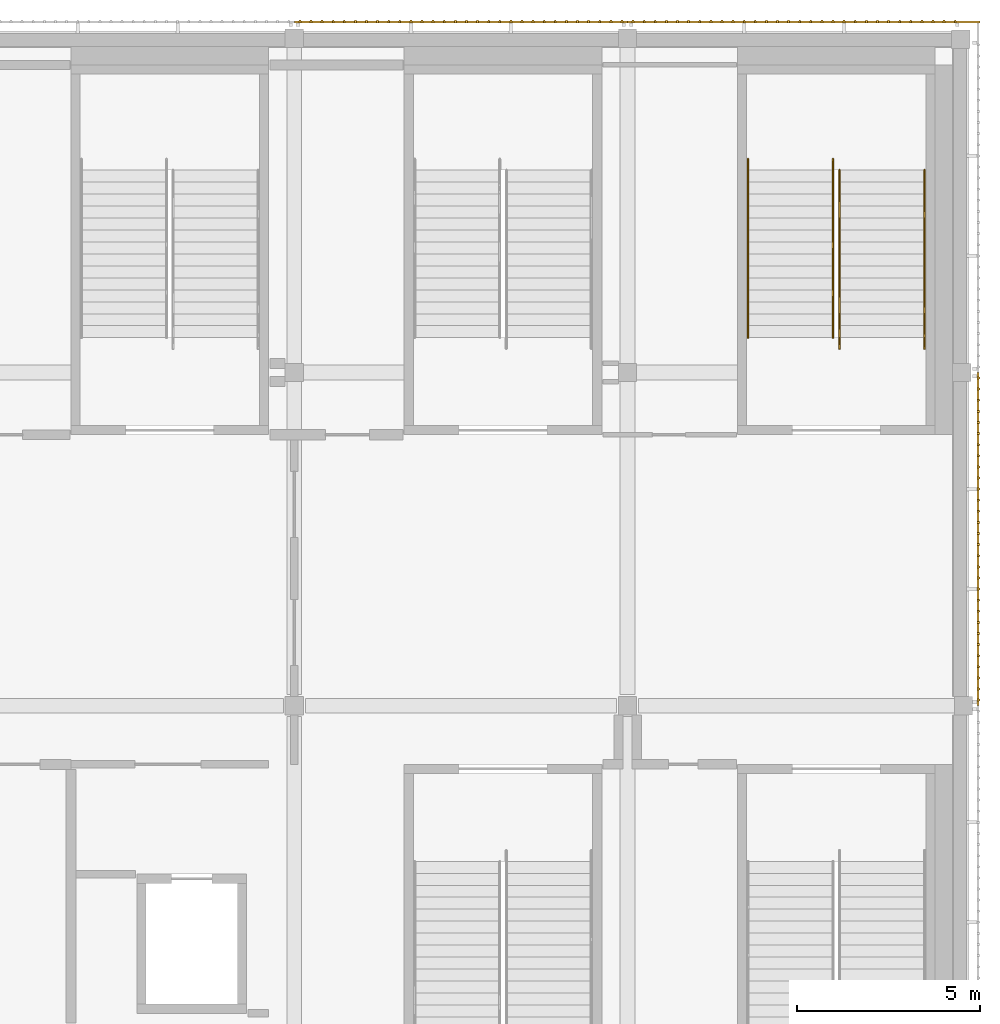
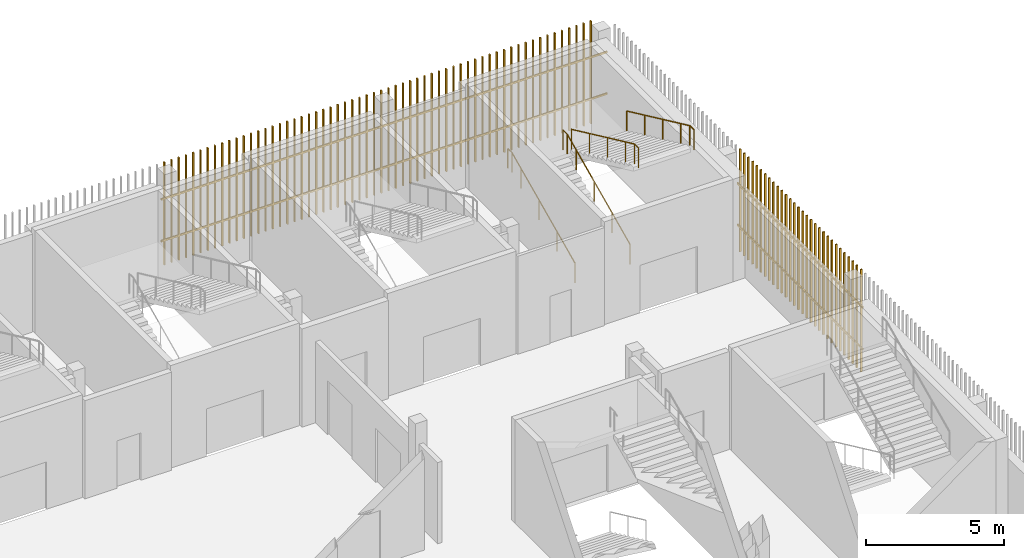
# One storey, part 87 of 91: 4 railings, 3 shading devices.
"""IFC4 building model written with IfcOpenShell, lengths in metres."""

from ifc_helpers import new_model, si_unit, direction, frame, origin, origin_2d, place, context, subcontext, project, spatial, rectangle, circle, extrude, material, type_object, element, save


model = new_model("IFC4")

# Units and contexts
model_context = context("Model", 3, precision=1e-05, world=origin(), true_north=direction((0.0, 1.0)))
body_context = subcontext(model_context, "Body", "Model", "MODEL_VIEW")
ifc_project = project(units=[si_unit("LENGTHUNIT", "METRE"), si_unit("AREAUNIT", "SQUARE_METRE"), si_unit("VOLUMEUNIT", "CUBIC_METRE"), si_unit("PLANEANGLEUNIT", "RADIAN"), si_unit("MASSUNIT", "GRAM", prefix="KILO")], contexts=[model_context])

# Site, building, storey
site_placement = place(None, origin())
site = spatial("IfcSite", under=ifc_project, at=site_placement, CompositionType="ELEMENT")
building_placement = place(site_placement, origin())
building = spatial("IfcBuilding", under=site, at=building_placement, Name="Shirokan Park Arena", CompositionType="ELEMENT")
storey_placement = place(building_placement, frame((0.0, 0.0, 24.570068359375)))
storey = spatial("IfcBuildingStorey", under=building, at=storey_placement, Name="L05", CompositionType="ELEMENT", Elevation=24.570068359375)

# Railings
ifc_material_1 = material(Name="Stainless steel", Category="steel")
railing_type = type_object("IfcRailingType", Name="Stair handrail 900", PredefinedType="HANDRAIL", material=ifc_material_1)
railing_1_placement = place(storey_placement, frame((139.7900390625, 101.050048828125, 0.151611328125)))
element("IfcRailing", 1, at=railing_1_placement, inside=storey, type_object=railing_type, Name="Handrail Exit Stair 3.A L05 to L06", PredefinedType="HANDRAIL", context=body_context, shape_type="SweptSolid", body=[
    extrude(circle(Radius=0.02392578125, at=origin_2d()), frame((0.0, 0.0, 0.8759765625), z_axis=(0.0, 0.906999720516, 0.421131222998), x_axis=(-1.0, 0.0, 0.0)), (0.0, 0.0, 1.0), 1.440673828125),
    extrude(circle(Radius=0.02392578125, at=origin_2d()), frame((0.0, 1.306640625, 1.482421875), z_axis=(0.0, 0.907029769225, 0.421066500378), x_axis=(-1.0, 0.0, 0.0)), (0.0, 0.0, 1.0), 1.44091796875),
    extrude(circle(Radius=0.02392578125, at=origin_2d()), frame((0.0, 2.613525390625, 2.08935546875), z_axis=(0.0, 0.907029769225, 0.421066500378), x_axis=(-1.0, 0.0, 0.0)), (0.0, 0.0, 1.0), 1.44091796875),
    extrude(circle(Radius=0.02392578125, at=origin_2d()), frame((0.0, 3.92041015625, 2.69580078125), z_axis=(0.0, 0.907064445915, 0.420991794405), x_axis=(-1.0, 0.0, 0.0)), (0.0, 0.0, 1.0), 0.72021484375),
    extrude(circle(Radius=0.02392578125, at=origin_2d()), frame((0.0, 4.57373046875, 2.9990234375), z_axis=(0.0, 1.0, 0.0), x_axis=(-1.0, 0.0, 0.0)), (0.0, 0.0, 1.0), 0.300048828125),
    extrude(circle(Radius=0.02099609375, at=origin_2d()), origin(), (0.0, 0.0, 1.0), 0.851806640625),
    extrude(circle(Radius=0.02099609375, at=origin_2d()), frame((0.0, 1.306640625, 0.606689453125)), (0.0, 0.0, 1.0), 0.851806640625),
    extrude(circle(Radius=0.02099609375, at=origin_2d()), frame((0.0, 2.613525390625, 1.21337890625)), (0.0, 0.0, 1.0), 0.851806640625),
    extrude(circle(Radius=0.02099609375, at=origin_2d()), frame((0.0, 3.92041015625, 1.820068359375)), (0.0, 0.0, 1.0), 0.851806640625),
    extrude(circle(Radius=0.02099609375, at=origin_2d()), frame((0.0, 4.57373046875, 2.123291015625)), (0.0, 0.0, 1.0), 0.851806640625),
    extrude(circle(Radius=0.02099609375, at=origin_2d()), frame((0.0, 4.873779296875, 2.123291015625)), (0.0, 0.0, 1.0), 0.851806640625),
])
railing_2_placement = place(storey_placement, frame((142.110107421875, 101.050048828125, 0.151611328125)))
element("IfcRailing", 2, at=railing_2_placement, inside=storey, type_object=railing_type, Name="Handrail Exit Stair 3.A L05 to L06", PredefinedType="HANDRAIL", context=body_context, shape_type="SweptSolid", body=[
    extrude(circle(Radius=0.02392578125, at=origin_2d()), frame((0.0, 0.0, 0.8759765625), z_axis=(0.0, 0.906999720516, 0.421131222998), x_axis=(-1.0, 0.0, 0.0)), (0.0, 0.0, 1.0), 1.440673828125),
    extrude(circle(Radius=0.02392578125, at=origin_2d()), frame((0.0, 1.306640625, 1.482421875), z_axis=(0.0, 0.907029769225, 0.421066500378), x_axis=(-1.0, 0.0, 0.0)), (0.0, 0.0, 1.0), 1.44091796875),
    extrude(circle(Radius=0.02392578125, at=origin_2d()), frame((0.0, 2.613525390625, 2.08935546875), z_axis=(0.0, 0.907029769225, 0.421066500378), x_axis=(-1.0, 0.0, 0.0)), (0.0, 0.0, 1.0), 1.44091796875),
    extrude(circle(Radius=0.02392578125, at=origin_2d()), frame((0.0, 3.92041015625, 2.69580078125), z_axis=(0.0, 0.907064445915, 0.420991794405), x_axis=(-1.0, 0.0, 0.0)), (0.0, 0.0, 1.0), 0.72021484375),
    extrude(circle(Radius=0.02392578125, at=origin_2d()), frame((0.0, 4.57373046875, 2.9990234375), z_axis=(0.0, 1.0, 0.0), x_axis=(-1.0, 0.0, 0.0)), (0.0, 0.0, 1.0), 0.300048828125),
    extrude(circle(Radius=0.02099609375, at=origin_2d()), origin(), (0.0, 0.0, 1.0), 0.851806640625),
    extrude(circle(Radius=0.02099609375, at=origin_2d()), frame((0.0, 1.306640625, 0.606689453125)), (0.0, 0.0, 1.0), 0.851806640625),
    extrude(circle(Radius=0.02099609375, at=origin_2d()), frame((0.0, 2.613525390625, 1.21337890625)), (0.0, 0.0, 1.0), 0.851806640625),
    extrude(circle(Radius=0.02099609375, at=origin_2d()), frame((0.0, 3.92041015625, 1.820068359375)), (0.0, 0.0, 1.0), 0.851806640625),
    extrude(circle(Radius=0.02099609375, at=origin_2d()), frame((0.0, 4.57373046875, 2.123291015625)), (0.0, 0.0, 1.0), 0.851806640625),
    extrude(circle(Radius=0.02099609375, at=origin_2d()), frame((0.0, 4.873779296875, 2.123291015625)), (0.0, 0.0, 1.0), 0.851806640625),
])
railing_3_placement = place(storey_placement, frame((142.2900390625, 105.623779296875, 2.426513671875)))
element("IfcRailing", 3, at=railing_3_placement, inside=storey, type_object=railing_type, Name="Handrail Exit Stair 3.A L05 to L06", PredefinedType="HANDRAIL", context=body_context, shape_type="SweptSolid", body=[
    extrude(circle(Radius=0.02392578125, at=origin_2d()), frame((0.0, 0.0, 0.8759765625), z_axis=(0.0, -0.907029769225, 0.421066500378), x_axis=(1.0, 0.0, 0.0)), (0.0, 0.0, 1.0), 1.44091796875),
    extrude(circle(Radius=0.02392578125, at=origin_2d()), frame((0.0, -1.306884765625, 1.482421875), z_axis=(0.0, -0.906999720516, 0.421131222998), x_axis=(1.0, 0.0, 0.0)), (0.0, 0.0, 1.0), 1.440673828125),
    extrude(circle(Radius=0.02392578125, at=origin_2d()), frame((0.0, -2.613525390625, 2.08935546875), z_axis=(0.0, -0.907029769225, 0.421066500378), x_axis=(1.0, 0.0, 0.0)), (0.0, 0.0, 1.0), 1.44091796875),
    extrude(circle(Radius=0.02392578125, at=origin_2d()), frame((0.0, -3.92041015625, 2.69580078125), z_axis=(0.0, -0.906934982928, 0.421270621741), x_axis=(1.0, 0.0, 0.0)), (0.0, 0.0, 1.0), 0.720458984375),
    extrude(circle(Radius=0.02392578125, at=origin_2d()), frame((0.0, -4.57373046875, 2.99951171875), z_axis=(0.0, -1.0, 0.0), x_axis=(1.0, 0.0, 0.0)), (0.0, 0.0, 1.0), 0.300048828125),
    extrude(circle(Radius=0.02099609375, at=origin_2d()), origin(), (0.0, 0.0, 1.0), 0.851806640625),
    extrude(circle(Radius=0.02099609375, at=origin_2d()), frame((0.0, -1.306884765625, 0.606689453125)), (0.0, 0.0, 1.0), 0.851806640625),
    extrude(circle(Radius=0.02099609375, at=origin_2d()), frame((0.0, -2.613525390625, 1.21337890625)), (0.0, 0.0, 1.0), 0.851806640625),
    extrude(circle(Radius=0.02099609375, at=origin_2d()), frame((0.0, -3.92041015625, 1.820068359375)), (0.0, 0.0, 1.0), 0.851806640625),
    extrude(circle(Radius=0.02099609375, at=origin_2d()), frame((0.0, -4.57373046875, 2.12353515625)), (0.0, 0.0, 1.0), 0.851806640625),
    extrude(circle(Radius=0.02099609375, at=origin_2d()), frame((0.0, -4.873779296875, 2.12353515625)), (0.0, 0.0, 1.0), 0.851806640625),
])
railing_4_placement = place(storey_placement, frame((144.610107421875, 105.623779296875, 2.426513671875)))
element("IfcRailing", 4, at=railing_4_placement, inside=storey, type_object=railing_type, Name="Handrail Exit Stair 3.A L05 to L06", PredefinedType="HANDRAIL", context=body_context, shape_type="SweptSolid", body=[
    extrude(circle(Radius=0.02392578125, at=origin_2d()), frame((0.0, 0.0, 0.8759765625), z_axis=(0.0, -0.907029769225, 0.421066500378), x_axis=(1.0, 0.0, 0.0)), (0.0, 0.0, 1.0), 1.44091796875),
    extrude(circle(Radius=0.02392578125, at=origin_2d()), frame((0.0, -1.306884765625, 1.482421875), z_axis=(0.0, -0.906999720516, 0.421131222998), x_axis=(1.0, 0.0, 0.0)), (0.0, 0.0, 1.0), 1.440673828125),
    extrude(circle(Radius=0.02392578125, at=origin_2d()), frame((0.0, -2.613525390625, 2.08935546875), z_axis=(0.0, -0.907029769225, 0.421066500378), x_axis=(1.0, 0.0, 0.0)), (0.0, 0.0, 1.0), 1.44091796875),
    extrude(circle(Radius=0.02392578125, at=origin_2d()), frame((0.0, -3.92041015625, 2.69580078125), z_axis=(0.0, -0.906934982928, 0.421270621741), x_axis=(1.0, 0.0, 0.0)), (0.0, 0.0, 1.0), 0.720458984375),
    extrude(circle(Radius=0.02392578125, at=origin_2d()), frame((0.0, -4.57373046875, 2.99951171875), z_axis=(0.0, -1.0, 0.0), x_axis=(1.0, 0.0, 0.0)), (0.0, 0.0, 1.0), 0.300048828125),
    extrude(circle(Radius=0.02099609375, at=origin_2d()), origin(), (0.0, 0.0, 1.0), 0.851806640625),
    extrude(circle(Radius=0.02099609375, at=origin_2d()), frame((0.0, -1.306884765625, 0.606689453125)), (0.0, 0.0, 1.0), 0.851806640625),
    extrude(circle(Radius=0.02099609375, at=origin_2d()), frame((0.0, -2.613525390625, 1.21337890625)), (0.0, 0.0, 1.0), 0.851806640625),
    extrude(circle(Radius=0.02099609375, at=origin_2d()), frame((0.0, -3.92041015625, 1.820068359375)), (0.0, 0.0, 1.0), 0.851806640625),
    extrude(circle(Radius=0.02099609375, at=origin_2d()), frame((0.0, -4.57373046875, 2.12353515625)), (0.0, 0.0, 1.0), 0.851806640625),
    extrude(circle(Radius=0.02099609375, at=origin_2d()), frame((0.0, -4.873779296875, 2.12353515625)), (0.0, 0.0, 1.0), 0.851806640625),
])

# Shading devices
ifc_material_2 = material(Name="Timber louvre veil (cedar)", Category="wood")
shading_device_type = type_object("IfcShadingDeviceType", Name="Timber louvre veil panel", PredefinedType="JALOUSIE", material=ifc_material_2)
shading_device_1_placement = place(storey_placement, origin())
element("IfcShadingDevice", 5, at=shading_device_1_placement, inside=storey, type_object=shading_device_type, Name="Timber louvre veil east bay 11 L05", PredefinedType="JALOUSIE", context=body_context, shape_type="SweptSolid", body=[
    extrude(rectangle(XDim=0.050048828125, YDim=0.080078125, at=origin_2d()), frame((146.0849609375, 91.151611328125, 0.0), z_axis=(0.0, 0.0, 1.0), x_axis=(0.0, 1.0, 0.0)), (0.0, 0.0, 1.0), 4.550048828125),
    extrude(rectangle(XDim=0.050048828125, YDim=0.080078125, at=origin_2d()), frame((146.0849609375, 91.455078125, 0.0), z_axis=(0.0, 0.0, 1.0), x_axis=(0.0, 1.0, 0.0)), (0.0, 0.0, 1.0), 4.550048828125),
    extrude(rectangle(XDim=0.050048828125, YDim=0.080078125, at=origin_2d()), frame((146.0849609375, 91.75830078125, 0.0), z_axis=(0.0, 0.0, 1.0), x_axis=(0.0, 1.0, 0.0)), (0.0, 0.0, 1.0), 4.550048828125),
    extrude(rectangle(XDim=0.050048828125, YDim=0.080078125, at=origin_2d()), frame((146.0849609375, 92.061767578125, 0.0), z_axis=(0.0, 0.0, 1.0), x_axis=(0.0, 1.0, 0.0)), (0.0, 0.0, 1.0), 4.550048828125),
    extrude(rectangle(XDim=0.050048828125, YDim=0.080078125, at=origin_2d()), frame((146.0849609375, 92.364990234375, 0.0), z_axis=(0.0, 0.0, 1.0), x_axis=(0.0, 1.0, 0.0)), (0.0, 0.0, 1.0), 4.550048828125),
    extrude(rectangle(XDim=0.050048828125, YDim=0.080078125, at=origin_2d()), frame((146.0849609375, 92.668212890625, 0.0), z_axis=(0.0, 0.0, 1.0), x_axis=(0.0, 1.0, 0.0)), (0.0, 0.0, 1.0), 4.550048828125),
    extrude(rectangle(XDim=0.050048828125, YDim=0.080078125, at=origin_2d()), frame((146.0849609375, 92.9716796875, 0.0), z_axis=(0.0, 0.0, 1.0), x_axis=(0.0, 1.0, 0.0)), (0.0, 0.0, 1.0), 4.550048828125),
    extrude(rectangle(XDim=0.050048828125, YDim=0.080078125, at=origin_2d()), frame((146.0849609375, 93.27490234375, 0.0), z_axis=(0.0, 0.0, 1.0), x_axis=(0.0, 1.0, 0.0)), (0.0, 0.0, 1.0), 4.550048828125),
    extrude(rectangle(XDim=0.050048828125, YDim=0.080078125, at=origin_2d()), frame((146.0849609375, 93.578369140625, 0.0), z_axis=(0.0, 0.0, 1.0), x_axis=(0.0, 1.0, 0.0)), (0.0, 0.0, 1.0), 4.550048828125),
    extrude(rectangle(XDim=0.050048828125, YDim=0.080078125, at=origin_2d()), frame((146.0849609375, 93.881591796875, 0.0), z_axis=(0.0, 0.0, 1.0), x_axis=(0.0, 1.0, 0.0)), (0.0, 0.0, 1.0), 4.550048828125),
    extrude(rectangle(XDim=0.050048828125, YDim=0.080078125, at=origin_2d()), frame((146.0849609375, 94.18505859375, 0.0), z_axis=(0.0, 0.0, 1.0), x_axis=(0.0, 1.0, 0.0)), (0.0, 0.0, 1.0), 4.550048828125),
    extrude(rectangle(XDim=0.050048828125, YDim=0.080078125, at=origin_2d()), frame((146.0849609375, 94.48828125, 0.0), z_axis=(0.0, 0.0, 1.0), x_axis=(0.0, 1.0, 0.0)), (0.0, 0.0, 1.0), 4.550048828125),
    extrude(rectangle(XDim=0.050048828125, YDim=0.080078125, at=origin_2d()), frame((146.0849609375, 94.791748046875, 0.0), z_axis=(0.0, 0.0, 1.0), x_axis=(0.0, 1.0, 0.0)), (0.0, 0.0, 1.0), 4.550048828125),
    extrude(rectangle(XDim=0.050048828125, YDim=0.080078125, at=origin_2d()), frame((146.0849609375, 95.094970703125, 0.0), z_axis=(0.0, 0.0, 1.0), x_axis=(0.0, 1.0, 0.0)), (0.0, 0.0, 1.0), 4.550048828125),
    extrude(rectangle(XDim=0.050048828125, YDim=0.080078125, at=origin_2d()), frame((146.0849609375, 95.3984375, 0.0), z_axis=(0.0, 0.0, 1.0), x_axis=(0.0, 1.0, 0.0)), (0.0, 0.0, 1.0), 4.550048828125),
    extrude(rectangle(XDim=0.050048828125, YDim=0.080078125, at=origin_2d()), frame((146.0849609375, 95.70166015625, 0.0), z_axis=(0.0, 0.0, 1.0), x_axis=(0.0, 1.0, 0.0)), (0.0, 0.0, 1.0), 4.550048828125),
    extrude(rectangle(XDim=0.050048828125, YDim=0.080078125, at=origin_2d()), frame((146.0849609375, 96.0048828125, 0.0), z_axis=(0.0, 0.0, 1.0), x_axis=(0.0, 1.0, 0.0)), (0.0, 0.0, 1.0), 4.550048828125),
    extrude(rectangle(XDim=0.050048828125, YDim=0.080078125, at=origin_2d()), frame((146.0849609375, 96.308349609375, 0.0), z_axis=(0.0, 0.0, 1.0), x_axis=(0.0, 1.0, 0.0)), (0.0, 0.0, 1.0), 4.550048828125),
    extrude(rectangle(XDim=0.050048828125, YDim=0.080078125, at=origin_2d()), frame((146.0849609375, 96.611572265625, 0.0), z_axis=(0.0, 0.0, 1.0), x_axis=(0.0, 1.0, 0.0)), (0.0, 0.0, 1.0), 4.550048828125),
    extrude(rectangle(XDim=0.050048828125, YDim=0.080078125, at=origin_2d()), frame((146.0849609375, 96.9150390625, 0.0), z_axis=(0.0, 0.0, 1.0), x_axis=(0.0, 1.0, 0.0)), (0.0, 0.0, 1.0), 4.550048828125),
    extrude(rectangle(XDim=0.050048828125, YDim=0.080078125, at=origin_2d()), frame((146.0849609375, 97.21826171875, 0.0), z_axis=(0.0, 0.0, 1.0), x_axis=(0.0, 1.0, 0.0)), (0.0, 0.0, 1.0), 4.550048828125),
    extrude(rectangle(XDim=0.050048828125, YDim=0.080078125, at=origin_2d()), frame((146.0849609375, 97.521728515625, 0.0), z_axis=(0.0, 0.0, 1.0), x_axis=(0.0, 1.0, 0.0)), (0.0, 0.0, 1.0), 4.550048828125),
    extrude(rectangle(XDim=0.050048828125, YDim=0.080078125, at=origin_2d()), frame((146.0849609375, 97.824951171875, 0.0), z_axis=(0.0, 0.0, 1.0), x_axis=(0.0, 1.0, 0.0)), (0.0, 0.0, 1.0), 4.550048828125),
    extrude(rectangle(XDim=0.050048828125, YDim=0.080078125, at=origin_2d()), frame((146.0849609375, 98.12841796875, 0.0), z_axis=(0.0, 0.0, 1.0), x_axis=(0.0, 1.0, 0.0)), (0.0, 0.0, 1.0), 4.550048828125),
    extrude(rectangle(XDim=0.050048828125, YDim=0.080078125, at=origin_2d()), frame((146.0849609375, 98.431640625, 0.0), z_axis=(0.0, 0.0, 1.0), x_axis=(0.0, 1.0, 0.0)), (0.0, 0.0, 1.0), 4.550048828125),
    extrude(rectangle(XDim=0.050048828125, YDim=0.080078125, at=origin_2d()), frame((146.0849609375, 98.735107421875, 0.0), z_axis=(0.0, 0.0, 1.0), x_axis=(0.0, 1.0, 0.0)), (0.0, 0.0, 1.0), 4.550048828125),
    extrude(rectangle(XDim=0.050048828125, YDim=0.080078125, at=origin_2d()), frame((146.0849609375, 99.038330078125, 0.0), z_axis=(0.0, 0.0, 1.0), x_axis=(0.0, 1.0, 0.0)), (0.0, 0.0, 1.0), 4.550048828125),
    extrude(rectangle(XDim=0.050048828125, YDim=0.080078125, at=origin_2d()), frame((146.0849609375, 99.341552734375, 0.0), z_axis=(0.0, 0.0, 1.0), x_axis=(0.0, 1.0, 0.0)), (0.0, 0.0, 1.0), 4.550048828125),
    extrude(rectangle(XDim=0.050048828125, YDim=0.080078125, at=origin_2d()), frame((146.0849609375, 99.64501953125, 0.0), z_axis=(0.0, 0.0, 1.0), x_axis=(0.0, 1.0, 0.0)), (0.0, 0.0, 1.0), 4.550048828125),
    extrude(rectangle(XDim=0.050048828125, YDim=0.080078125, at=origin_2d()), frame((146.0849609375, 99.9482421875, 0.0), z_axis=(0.0, 0.0, 1.0), x_axis=(0.0, 1.0, 0.0)), (0.0, 0.0, 1.0), 4.550048828125),
    extrude(rectangle(XDim=9.10009765625, YDim=0.050048828125, at=origin_2d()), frame((146.070068359375, 95.550048828125, 1.059814453125), z_axis=(0.0, 0.0, 1.0), x_axis=(0.0, 1.0, 0.0)), (0.0, 0.0, 1.0), 0.080078125),
    extrude(rectangle(XDim=9.10009765625, YDim=0.050048828125, at=origin_2d()), frame((146.070068359375, 95.550048828125, 2.909912109375), z_axis=(0.0, 0.0, 1.0), x_axis=(0.0, 1.0, 0.0)), (0.0, 0.0, 1.0), 0.080078125),
])
shading_device_2_placement = place(storey_placement, origin())
element("IfcShadingDevice", 6, at=shading_device_2_placement, inside=storey, type_object=shading_device_type, Name="Timber louvre veil north bay 1 L05", PredefinedType="JALOUSIE", context=body_context, shape_type="SweptSolid", body=[
    extrude(rectangle(XDim=0.050048828125, YDim=0.080078125, at=origin_2d()), frame((145.4482421875, 109.68505859375, 0.0), z_axis=(0.0, 0.0, 1.0), x_axis=(-1.0, 0.0, 0.0)), (0.0, 0.0, 1.0), 4.550048828125),
    extrude(rectangle(XDim=0.050048828125, YDim=0.080078125, at=origin_2d()), frame((145.14501953125, 109.68505859375, 0.0), z_axis=(0.0, 0.0, 1.0), x_axis=(-1.0, 0.0, 0.0)), (0.0, 0.0, 1.0), 4.550048828125),
    extrude(rectangle(XDim=0.050048828125, YDim=0.080078125, at=origin_2d()), frame((144.841552734375, 109.68505859375, 0.0), z_axis=(0.0, 0.0, 1.0), x_axis=(-1.0, 0.0, 0.0)), (0.0, 0.0, 1.0), 4.550048828125),
    extrude(rectangle(XDim=0.050048828125, YDim=0.080078125, at=origin_2d()), frame((144.538330078125, 109.68505859375, 0.0), z_axis=(0.0, 0.0, 1.0), x_axis=(-1.0, 0.0, 0.0)), (0.0, 0.0, 1.0), 4.550048828125),
    extrude(rectangle(XDim=0.050048828125, YDim=0.080078125, at=origin_2d()), frame((144.235107421875, 109.68505859375, 0.0), z_axis=(0.0, 0.0, 1.0), x_axis=(-1.0, 0.0, 0.0)), (0.0, 0.0, 1.0), 4.550048828125),
    extrude(rectangle(XDim=0.050048828125, YDim=0.080078125, at=origin_2d()), frame((143.931640625, 109.68505859375, 0.0), z_axis=(0.0, 0.0, 1.0), x_axis=(-1.0, 0.0, 0.0)), (0.0, 0.0, 1.0), 4.550048828125),
    extrude(rectangle(XDim=0.050048828125, YDim=0.080078125, at=origin_2d()), frame((143.62841796875, 109.68505859375, 0.0), z_axis=(0.0, 0.0, 1.0), x_axis=(-1.0, 0.0, 0.0)), (0.0, 0.0, 1.0), 4.550048828125),
    extrude(rectangle(XDim=0.050048828125, YDim=0.080078125, at=origin_2d()), frame((143.324951171875, 109.68505859375, 0.0), z_axis=(0.0, 0.0, 1.0), x_axis=(-1.0, 0.0, 0.0)), (0.0, 0.0, 1.0), 4.550048828125),
    extrude(rectangle(XDim=0.050048828125, YDim=0.080078125, at=origin_2d()), frame((143.021728515625, 109.68505859375, 0.0), z_axis=(0.0, 0.0, 1.0), x_axis=(-1.0, 0.0, 0.0)), (0.0, 0.0, 1.0), 4.550048828125),
    extrude(rectangle(XDim=0.050048828125, YDim=0.080078125, at=origin_2d()), frame((142.71826171875, 109.68505859375, 0.0), z_axis=(0.0, 0.0, 1.0), x_axis=(-1.0, 0.0, 0.0)), (0.0, 0.0, 1.0), 4.550048828125),
    extrude(rectangle(XDim=0.050048828125, YDim=0.080078125, at=origin_2d()), frame((142.4150390625, 109.68505859375, 0.0), z_axis=(0.0, 0.0, 1.0), x_axis=(-1.0, 0.0, 0.0)), (0.0, 0.0, 1.0), 4.550048828125),
    extrude(rectangle(XDim=0.050048828125, YDim=0.080078125, at=origin_2d()), frame((142.111572265625, 109.68505859375, 0.0), z_axis=(0.0, 0.0, 1.0), x_axis=(-1.0, 0.0, 0.0)), (0.0, 0.0, 1.0), 4.550048828125),
    extrude(rectangle(XDim=0.050048828125, YDim=0.080078125, at=origin_2d()), frame((141.808349609375, 109.68505859375, 0.0), z_axis=(0.0, 0.0, 1.0), x_axis=(-1.0, 0.0, 0.0)), (0.0, 0.0, 1.0), 4.550048828125),
    extrude(rectangle(XDim=0.050048828125, YDim=0.080078125, at=origin_2d()), frame((141.5048828125, 109.68505859375, 0.0), z_axis=(0.0, 0.0, 1.0), x_axis=(-1.0, 0.0, 0.0)), (0.0, 0.0, 1.0), 4.550048828125),
    extrude(rectangle(XDim=0.050048828125, YDim=0.080078125, at=origin_2d()), frame((141.20166015625, 109.68505859375, 0.0), z_axis=(0.0, 0.0, 1.0), x_axis=(-1.0, 0.0, 0.0)), (0.0, 0.0, 1.0), 4.550048828125),
    extrude(rectangle(XDim=0.050048828125, YDim=0.080078125, at=origin_2d()), frame((140.8984375, 109.68505859375, 0.0), z_axis=(0.0, 0.0, 1.0), x_axis=(-1.0, 0.0, 0.0)), (0.0, 0.0, 1.0), 4.550048828125),
    extrude(rectangle(XDim=0.050048828125, YDim=0.080078125, at=origin_2d()), frame((140.594970703125, 109.68505859375, 0.0), z_axis=(0.0, 0.0, 1.0), x_axis=(-1.0, 0.0, 0.0)), (0.0, 0.0, 1.0), 4.550048828125),
    extrude(rectangle(XDim=0.050048828125, YDim=0.080078125, at=origin_2d()), frame((140.291748046875, 109.68505859375, 0.0), z_axis=(0.0, 0.0, 1.0), x_axis=(-1.0, 0.0, 0.0)), (0.0, 0.0, 1.0), 4.550048828125),
    extrude(rectangle(XDim=0.050048828125, YDim=0.080078125, at=origin_2d()), frame((139.98828125, 109.68505859375, 0.0), z_axis=(0.0, 0.0, 1.0), x_axis=(-1.0, 0.0, 0.0)), (0.0, 0.0, 1.0), 4.550048828125),
    extrude(rectangle(XDim=0.050048828125, YDim=0.080078125, at=origin_2d()), frame((139.68505859375, 109.68505859375, 0.0), z_axis=(0.0, 0.0, 1.0), x_axis=(-1.0, 0.0, 0.0)), (0.0, 0.0, 1.0), 4.550048828125),
    extrude(rectangle(XDim=0.050048828125, YDim=0.080078125, at=origin_2d()), frame((139.381591796875, 109.68505859375, 0.0), z_axis=(0.0, 0.0, 1.0), x_axis=(-1.0, 0.0, 0.0)), (0.0, 0.0, 1.0), 4.550048828125),
    extrude(rectangle(XDim=0.050048828125, YDim=0.080078125, at=origin_2d()), frame((139.078369140625, 109.68505859375, 0.0), z_axis=(0.0, 0.0, 1.0), x_axis=(-1.0, 0.0, 0.0)), (0.0, 0.0, 1.0), 4.550048828125),
    extrude(rectangle(XDim=0.050048828125, YDim=0.080078125, at=origin_2d()), frame((138.77490234375, 109.68505859375, 0.0), z_axis=(0.0, 0.0, 1.0), x_axis=(-1.0, 0.0, 0.0)), (0.0, 0.0, 1.0), 4.550048828125),
    extrude(rectangle(XDim=0.050048828125, YDim=0.080078125, at=origin_2d()), frame((138.4716796875, 109.68505859375, 0.0), z_axis=(0.0, 0.0, 1.0), x_axis=(-1.0, 0.0, 0.0)), (0.0, 0.0, 1.0), 4.550048828125),
    extrude(rectangle(XDim=0.050048828125, YDim=0.080078125, at=origin_2d()), frame((138.168212890625, 109.68505859375, 0.0), z_axis=(0.0, 0.0, 1.0), x_axis=(-1.0, 0.0, 0.0)), (0.0, 0.0, 1.0), 4.550048828125),
    extrude(rectangle(XDim=0.050048828125, YDim=0.080078125, at=origin_2d()), frame((137.864990234375, 109.68505859375, 0.0), z_axis=(0.0, 0.0, 1.0), x_axis=(-1.0, 0.0, 0.0)), (0.0, 0.0, 1.0), 4.550048828125),
    extrude(rectangle(XDim=0.050048828125, YDim=0.080078125, at=origin_2d()), frame((137.561767578125, 109.68505859375, 0.0), z_axis=(0.0, 0.0, 1.0), x_axis=(-1.0, 0.0, 0.0)), (0.0, 0.0, 1.0), 4.550048828125),
    extrude(rectangle(XDim=0.050048828125, YDim=0.080078125, at=origin_2d()), frame((137.25830078125, 109.68505859375, 0.0), z_axis=(0.0, 0.0, 1.0), x_axis=(-1.0, 0.0, 0.0)), (0.0, 0.0, 1.0), 4.550048828125),
    extrude(rectangle(XDim=0.050048828125, YDim=0.080078125, at=origin_2d()), frame((136.955078125, 109.68505859375, 0.0), z_axis=(0.0, 0.0, 1.0), x_axis=(-1.0, 0.0, 0.0)), (0.0, 0.0, 1.0), 4.550048828125),
    extrude(rectangle(XDim=0.050048828125, YDim=0.080078125, at=origin_2d()), frame((136.651611328125, 109.68505859375, 0.0), z_axis=(0.0, 0.0, 1.0), x_axis=(-1.0, 0.0, 0.0)), (0.0, 0.0, 1.0), 4.550048828125),
    extrude(rectangle(XDim=9.625, YDim=0.050048828125, at=origin_2d()), frame((141.3125, 109.669921875, 1.059814453125), z_axis=(0.0, 0.0, 1.0), x_axis=(-1.0, 0.0, 0.0)), (0.0, 0.0, 1.0), 0.080078125),
    extrude(rectangle(XDim=9.625, YDim=0.050048828125, at=origin_2d()), frame((141.3125, 109.669921875, 2.909912109375), z_axis=(0.0, 0.0, 1.0), x_axis=(-1.0, 0.0, 0.0)), (0.0, 0.0, 1.0), 0.080078125),
])
shading_device_3_placement = place(storey_placement, origin())
element("IfcShadingDevice", 7, at=shading_device_3_placement, inside=storey, type_object=shading_device_type, Name="Timber louvre veil north bay 2 L05", PredefinedType="JALOUSIE", context=body_context, shape_type="SweptSolid", body=[
    extrude(rectangle(XDim=0.050048828125, YDim=0.080078125, at=origin_2d()), frame((136.348388671875, 109.68505859375, 0.0), z_axis=(0.0, 0.0, 1.0), x_axis=(-1.0, 0.0, 0.0)), (0.0, 0.0, 1.0), 4.550048828125),
    extrude(rectangle(XDim=0.050048828125, YDim=0.080078125, at=origin_2d()), frame((136.044921875, 109.68505859375, 0.0), z_axis=(0.0, 0.0, 1.0), x_axis=(-1.0, 0.0, 0.0)), (0.0, 0.0, 1.0), 4.550048828125),
    extrude(rectangle(XDim=0.050048828125, YDim=0.080078125, at=origin_2d()), frame((135.74169921875, 109.68505859375, 0.0), z_axis=(0.0, 0.0, 1.0), x_axis=(-1.0, 0.0, 0.0)), (0.0, 0.0, 1.0), 4.550048828125),
    extrude(rectangle(XDim=0.050048828125, YDim=0.080078125, at=origin_2d()), frame((135.438232421875, 109.68505859375, 0.0), z_axis=(0.0, 0.0, 1.0), x_axis=(-1.0, 0.0, 0.0)), (0.0, 0.0, 1.0), 4.550048828125),
    extrude(rectangle(XDim=0.050048828125, YDim=0.080078125, at=origin_2d()), frame((135.135009765625, 109.68505859375, 0.0), z_axis=(0.0, 0.0, 1.0), x_axis=(-1.0, 0.0, 0.0)), (0.0, 0.0, 1.0), 4.550048828125),
    extrude(rectangle(XDim=0.050048828125, YDim=0.080078125, at=origin_2d()), frame((134.831787109375, 109.68505859375, 0.0), z_axis=(0.0, 0.0, 1.0), x_axis=(-1.0, 0.0, 0.0)), (0.0, 0.0, 1.0), 4.550048828125),
    extrude(rectangle(XDim=0.050048828125, YDim=0.080078125, at=origin_2d()), frame((134.5283203125, 109.68505859375, 0.0), z_axis=(0.0, 0.0, 1.0), x_axis=(-1.0, 0.0, 0.0)), (0.0, 0.0, 1.0), 4.550048828125),
    extrude(rectangle(XDim=0.050048828125, YDim=0.080078125, at=origin_2d()), frame((134.22509765625, 109.68505859375, 0.0), z_axis=(0.0, 0.0, 1.0), x_axis=(-1.0, 0.0, 0.0)), (0.0, 0.0, 1.0), 4.550048828125),
    extrude(rectangle(XDim=0.050048828125, YDim=0.080078125, at=origin_2d()), frame((133.921630859375, 109.68505859375, 0.0), z_axis=(0.0, 0.0, 1.0), x_axis=(-1.0, 0.0, 0.0)), (0.0, 0.0, 1.0), 4.550048828125),
    extrude(rectangle(XDim=0.050048828125, YDim=0.080078125, at=origin_2d()), frame((133.618408203125, 109.68505859375, 0.0), z_axis=(0.0, 0.0, 1.0), x_axis=(-1.0, 0.0, 0.0)), (0.0, 0.0, 1.0), 4.550048828125),
    extrude(rectangle(XDim=0.050048828125, YDim=0.080078125, at=origin_2d()), frame((133.31494140625, 109.68505859375, 0.0), z_axis=(0.0, 0.0, 1.0), x_axis=(-1.0, 0.0, 0.0)), (0.0, 0.0, 1.0), 4.550048828125),
    extrude(rectangle(XDim=0.050048828125, YDim=0.080078125, at=origin_2d()), frame((133.01171875, 109.68505859375, 0.0), z_axis=(0.0, 0.0, 1.0), x_axis=(-1.0, 0.0, 0.0)), (0.0, 0.0, 1.0), 4.550048828125),
    extrude(rectangle(XDim=0.050048828125, YDim=0.080078125, at=origin_2d()), frame((132.708251953125, 109.68505859375, 0.0), z_axis=(0.0, 0.0, 1.0), x_axis=(-1.0, 0.0, 0.0)), (0.0, 0.0, 1.0), 4.550048828125),
    extrude(rectangle(XDim=0.050048828125, YDim=0.080078125, at=origin_2d()), frame((132.405029296875, 109.68505859375, 0.0), z_axis=(0.0, 0.0, 1.0), x_axis=(-1.0, 0.0, 0.0)), (0.0, 0.0, 1.0), 4.550048828125),
    extrude(rectangle(XDim=0.050048828125, YDim=0.080078125, at=origin_2d()), frame((132.1015625, 109.68505859375, 0.0), z_axis=(0.0, 0.0, 1.0), x_axis=(-1.0, 0.0, 0.0)), (0.0, 0.0, 1.0), 4.550048828125),
    extrude(rectangle(XDim=0.050048828125, YDim=0.080078125, at=origin_2d()), frame((131.79833984375, 109.68505859375, 0.0), z_axis=(0.0, 0.0, 1.0), x_axis=(-1.0, 0.0, 0.0)), (0.0, 0.0, 1.0), 4.550048828125),
    extrude(rectangle(XDim=0.050048828125, YDim=0.080078125, at=origin_2d()), frame((131.4951171875, 109.68505859375, 0.0), z_axis=(0.0, 0.0, 1.0), x_axis=(-1.0, 0.0, 0.0)), (0.0, 0.0, 1.0), 4.550048828125),
    extrude(rectangle(XDim=0.050048828125, YDim=0.080078125, at=origin_2d()), frame((131.191650390625, 109.68505859375, 0.0), z_axis=(0.0, 0.0, 1.0), x_axis=(-1.0, 0.0, 0.0)), (0.0, 0.0, 1.0), 4.550048828125),
    extrude(rectangle(XDim=0.050048828125, YDim=0.080078125, at=origin_2d()), frame((130.888427734375, 109.68505859375, 0.0), z_axis=(0.0, 0.0, 1.0), x_axis=(-1.0, 0.0, 0.0)), (0.0, 0.0, 1.0), 4.550048828125),
    extrude(rectangle(XDim=0.050048828125, YDim=0.080078125, at=origin_2d()), frame((130.5849609375, 109.68505859375, 0.0), z_axis=(0.0, 0.0, 1.0), x_axis=(-1.0, 0.0, 0.0)), (0.0, 0.0, 1.0), 4.550048828125),
    extrude(rectangle(XDim=0.050048828125, YDim=0.080078125, at=origin_2d()), frame((130.28173828125, 109.68505859375, 0.0), z_axis=(0.0, 0.0, 1.0), x_axis=(-1.0, 0.0, 0.0)), (0.0, 0.0, 1.0), 4.550048828125),
    extrude(rectangle(XDim=0.050048828125, YDim=0.080078125, at=origin_2d()), frame((129.978271484375, 109.68505859375, 0.0), z_axis=(0.0, 0.0, 1.0), x_axis=(-1.0, 0.0, 0.0)), (0.0, 0.0, 1.0), 4.550048828125),
    extrude(rectangle(XDim=0.050048828125, YDim=0.080078125, at=origin_2d()), frame((129.675048828125, 109.68505859375, 0.0), z_axis=(0.0, 0.0, 1.0), x_axis=(-1.0, 0.0, 0.0)), (0.0, 0.0, 1.0), 4.550048828125),
    extrude(rectangle(XDim=0.050048828125, YDim=0.080078125, at=origin_2d()), frame((129.37158203125, 109.68505859375, 0.0), z_axis=(0.0, 0.0, 1.0), x_axis=(-1.0, 0.0, 0.0)), (0.0, 0.0, 1.0), 4.550048828125),
    extrude(rectangle(XDim=0.050048828125, YDim=0.080078125, at=origin_2d()), frame((129.068359375, 109.68505859375, 0.0), z_axis=(0.0, 0.0, 1.0), x_axis=(-1.0, 0.0, 0.0)), (0.0, 0.0, 1.0), 4.550048828125),
    extrude(rectangle(XDim=0.050048828125, YDim=0.080078125, at=origin_2d()), frame((128.764892578125, 109.68505859375, 0.0), z_axis=(0.0, 0.0, 1.0), x_axis=(-1.0, 0.0, 0.0)), (0.0, 0.0, 1.0), 4.550048828125),
    extrude(rectangle(XDim=0.050048828125, YDim=0.080078125, at=origin_2d()), frame((128.461669921875, 109.68505859375, 0.0), z_axis=(0.0, 0.0, 1.0), x_axis=(-1.0, 0.0, 0.0)), (0.0, 0.0, 1.0), 4.550048828125),
    extrude(rectangle(XDim=0.050048828125, YDim=0.080078125, at=origin_2d()), frame((128.158447265625, 109.68505859375, 0.0), z_axis=(0.0, 0.0, 1.0), x_axis=(-1.0, 0.0, 0.0)), (0.0, 0.0, 1.0), 4.550048828125),
    extrude(rectangle(XDim=0.050048828125, YDim=0.080078125, at=origin_2d()), frame((127.85498046875, 109.68505859375, 0.0), z_axis=(0.0, 0.0, 1.0), x_axis=(-1.0, 0.0, 0.0)), (0.0, 0.0, 1.0), 4.550048828125),
    extrude(rectangle(XDim=0.050048828125, YDim=0.080078125, at=origin_2d()), frame((127.5517578125, 109.68505859375, 0.0), z_axis=(0.0, 0.0, 1.0), x_axis=(-1.0, 0.0, 0.0)), (0.0, 0.0, 1.0), 4.550048828125),
    extrude(rectangle(XDim=9.10009765625, YDim=0.050048828125, at=origin_2d()), frame((131.949951171875, 109.669921875, 1.059814453125), z_axis=(0.0, 0.0, 1.0), x_axis=(-1.0, 0.0, 0.0)), (0.0, 0.0, 1.0), 0.080078125),
    extrude(rectangle(XDim=9.10009765625, YDim=0.050048828125, at=origin_2d()), frame((131.949951171875, 109.669921875, 2.909912109375), z_axis=(0.0, 0.0, 1.0), x_axis=(-1.0, 0.0, 0.0)), (0.0, 0.0, 1.0), 0.080078125),
])

save(model, "model.ifc")
